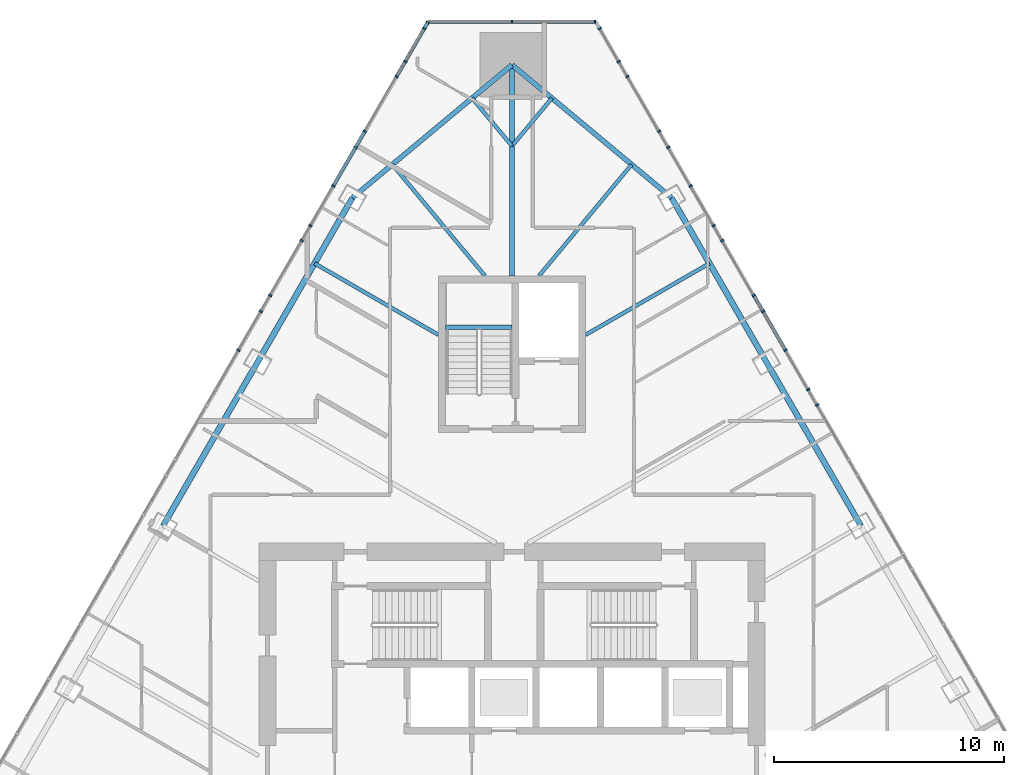
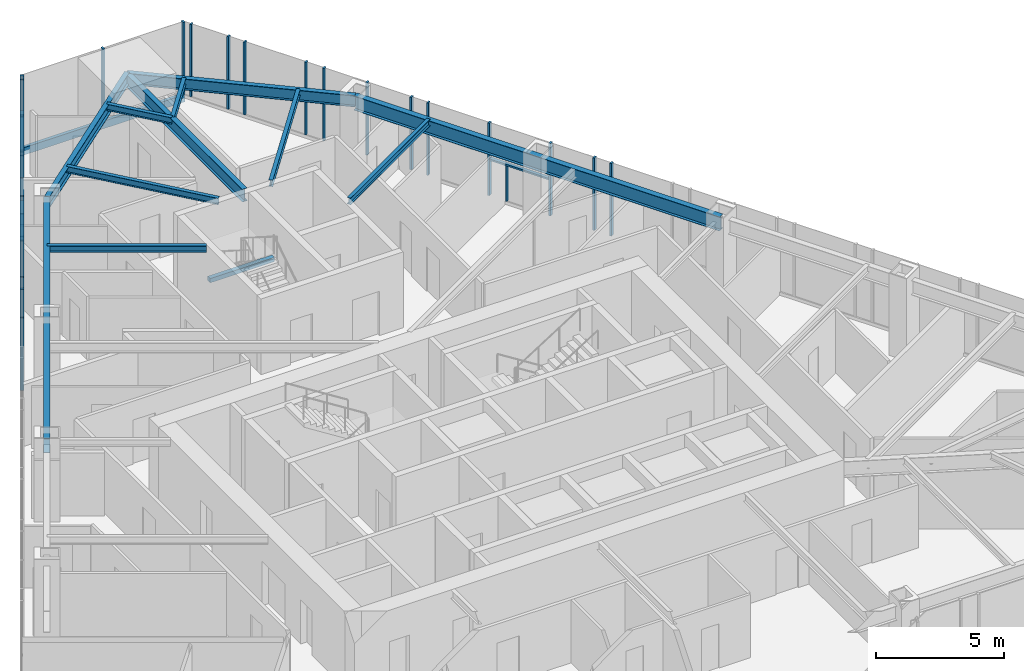
# One storey, part 11 of 24: 33 members, 12 beams, 3 elements without a shape of their own.
"""IFC4 building model written with IfcOpenShell, lengths in metres."""

from ifc_helpers import new_model, si_unit, direction, frame, origin, origin_2d, place, context, subcontext, project, spatial, rectangle, i_section, extrude, material, layer, layer_set, material_profile, profile_set, type_object, element, aggregate, save


model = new_model("IFC4")

# Units and contexts
model_context = context("Model", 3, precision=1e-05, world=origin(), true_north=direction((0.0, 1.0)))
body_context = subcontext(model_context, "Body", "Model", "MODEL_VIEW")
ifc_project = project(units=[si_unit("LENGTHUNIT", "METRE"), si_unit("AREAUNIT", "SQUARE_METRE"), si_unit("VOLUMEUNIT", "CUBIC_METRE"), si_unit("PLANEANGLEUNIT", "RADIAN"), si_unit("MASSUNIT", "GRAM", prefix="KILO")], contexts=[model_context])

# Site, building, storey
site_placement = place(None, origin())
site = spatial("IfcSite", under=ifc_project, at=site_placement, CompositionType="ELEMENT")
building_placement = place(site_placement, origin())
building = spatial("IfcBuilding", under=site, at=building_placement, Name="Firuza Gate Tower and Library", CompositionType="ELEMENT")
storey_placement = place(building_placement, frame((0.0, 0.0, 237.699951171875)))
storey = spatial("IfcBuildingStorey", under=building, at=storey_placement, Name="L56", CompositionType="ELEMENT", Elevation=237.699951171875)

# Curtain wall, members
ifc_material_1 = material(Name="Aluminium 6063-T6", Category="aluminium")
ifc_layer_1 = layer(ifc_material_1, 0.14990234375)
ifc_layer_set_1 = layer_set([ifc_layer_1], Name="Unitised curtain wall, hotel")
curtain_wall_type_1 = type_object("IfcCurtainWallType", Name="Unitised curtain wall, hotel", PredefinedType="NOTDEFINED", material=ifc_layer_set_1)
placement = place(storey_placement, origin())
curtain_wall_1 = element("IfcCurtainWall", 1, at=placement, inside=storey, type_object=curtain_wall_type_1, Name="CW2 L56 E face", PredefinedType="NOTDEFINED")
ifc_material_2 = material(Name="Aluminium 6063-T6", Category="aluminium")
ifc_material_profile_1 = material_profile(ifc_material_2, rectangle(XDim=0.14990234375, YDim=0.080078125, at=origin_2d()))
ifc_profile_set_1 = profile_set([ifc_material_profile_1], Name="Aluminium 6063-T6")
member_type_1 = type_object("IfcMemberType", Name="Curtain wall mullion 80x150", PredefinedType="MULLION", material=ifc_profile_set_1)
member_1_placement = place(storey_placement, frame((88.256591796875, 88.996826171875, 0.150146484375), z_axis=(0.0, 0.0, 1.0), x_axis=(-0.866025403784, -0.5, 0.0)))
member_1 = element("IfcMember", 2, at=member_1_placement, type_object=member_type_1, Name="Mullion", PredefinedType="MULLION", context=body_context, shape_type="SweptSolid", body=[
    extrude(rectangle(XDim=0.14990234375, YDim=0.080078125, at=origin_2d()), origin(), (0.0, 0.0, 1.0), 3.449951171875),
])
member_2_placement = place(storey_placement, frame((86.88330078125, 91.37548828125, 0.150146484375), z_axis=(0.0, 0.0, 1.0), x_axis=(-0.866025403784, -0.5, 0.0)))
member_2 = element("IfcMember", 3, at=member_2_placement, type_object=member_type_1, Name="Mullion", PredefinedType="MULLION", context=body_context, shape_type="SweptSolid", body=[
    extrude(rectangle(XDim=0.14990234375, YDim=0.080078125, at=origin_2d()), origin(), (0.0, 0.0, 1.0), 3.449951171875),
])
member_3_placement = place(storey_placement, frame((85.510009765625, 93.754150390625, 0.150146484375), z_axis=(0.0, 0.0, 1.0), x_axis=(-0.866025403784, -0.5, 0.0)))
member_3 = element("IfcMember", 4, at=member_3_placement, type_object=member_type_1, Name="Mullion", PredefinedType="MULLION", context=body_context, shape_type="SweptSolid", body=[
    extrude(rectangle(XDim=0.14990234375, YDim=0.080078125, at=origin_2d()), origin(), (0.0, 0.0, 1.0), 3.449951171875),
])
member_4_placement = place(storey_placement, frame((84.13671875, 96.1328125, 0.150146484375), z_axis=(0.0, 0.0, 1.0), x_axis=(-0.866025403784, -0.5, 0.0)))
member_4 = element("IfcMember", 5, at=member_4_placement, type_object=member_type_1, Name="Mullion", PredefinedType="MULLION", context=body_context, shape_type="SweptSolid", body=[
    extrude(rectangle(XDim=0.14990234375, YDim=0.080078125, at=origin_2d()), origin(), (0.0, 0.0, 1.0), 3.449951171875),
])
member_5_placement = place(storey_placement, frame((82.76318359375, 98.511474609375, 0.150146484375), z_axis=(0.0, 0.0, 1.0), x_axis=(-0.866025403784, -0.5, 0.0)))
member_5 = element("IfcMember", 6, at=member_5_placement, type_object=member_type_1, Name="Mullion", PredefinedType="MULLION", context=body_context, shape_type="SweptSolid", body=[
    extrude(rectangle(XDim=0.14990234375, YDim=0.080078125, at=origin_2d()), origin(), (0.0, 0.0, 1.0), 3.449951171875),
])
member_6_placement = place(storey_placement, frame((81.389892578125, 100.89013671875, 0.150146484375), z_axis=(0.0, 0.0, 1.0), x_axis=(-0.866025403784, -0.5, 0.0)))
member_6 = element("IfcMember", 7, at=member_6_placement, type_object=member_type_1, Name="Mullion", PredefinedType="MULLION", context=body_context, shape_type="SweptSolid", body=[
    extrude(rectangle(XDim=0.14990234375, YDim=0.080078125, at=origin_2d()), origin(), (0.0, 0.0, 1.0), 3.449951171875),
])
member_7_placement = place(storey_placement, frame((80.0166015625, 103.268798828125, 0.150146484375), z_axis=(0.0, 0.0, 1.0), x_axis=(-0.866025403784, -0.5, 0.0)))
member_7 = element("IfcMember", 8, at=member_7_placement, type_object=member_type_1, Name="Mullion", PredefinedType="MULLION", context=body_context, shape_type="SweptSolid", body=[
    extrude(rectangle(XDim=0.14990234375, YDim=0.080078125, at=origin_2d()), origin(), (0.0, 0.0, 1.0), 3.449951171875),
])
member_8_placement = place(storey_placement, frame((87.871337890625, 89.664306640625, 0.150146484375), z_axis=(0.0, 0.0, 1.0), x_axis=(-0.866025403784, -0.5, 0.0)))
member_8 = element("IfcMember", 9, at=member_8_placement, type_object=member_type_1, Name="Mullion", PredefinedType="MULLION", context=body_context, shape_type="SweptSolid", body=[
    extrude(rectangle(XDim=0.14990234375, YDim=0.080078125, at=origin_2d()), origin(), (0.0, 0.0, 1.0), 3.449951171875),
])
member_9_placement = place(storey_placement, frame((85.90966796875, 93.061767578125, 0.150146484375), z_axis=(0.0, 0.0, 1.0), x_axis=(-0.866025403784, -0.5, 0.0)))
member_9 = element("IfcMember", 10, at=member_9_placement, type_object=member_type_1, Name="Mullion", PredefinedType="MULLION", context=body_context, shape_type="SweptSolid", body=[
    extrude(rectangle(XDim=0.14990234375, YDim=0.080078125, at=origin_2d()), origin(), (0.0, 0.0, 1.0), 1.684814453125),
])
member_10_placement = place(storey_placement, frame((83.758544921875, 96.787841796875, 0.150146484375), z_axis=(0.0, 0.0, 1.0), x_axis=(-0.866025403784, -0.5, 0.0)))
member_10 = element("IfcMember", 11, at=member_10_placement, type_object=member_type_1, Name="Mullion", PredefinedType="MULLION", context=body_context, shape_type="SweptSolid", body=[
    extrude(rectangle(XDim=0.14990234375, YDim=0.080078125, at=origin_2d()), origin(), (0.0, 0.0, 1.0), 3.449951171875),
])
member_11_placement = place(storey_placement, frame((81.796875, 100.185302734375, 0.150146484375), z_axis=(0.0, 0.0, 1.0), x_axis=(-0.866025403784, -0.5, 0.0)))
member_11 = element("IfcMember", 12, at=member_11_placement, type_object=member_type_1, Name="Mullion", PredefinedType="MULLION", context=body_context, shape_type="SweptSolid", body=[
    extrude(rectangle(XDim=0.14990234375, YDim=0.080078125, at=origin_2d()), origin(), (0.0, 0.0, 1.0), 3.449951171875),
])
member_12_placement = place(storey_placement, frame((79.645751953125, 103.911376953125, 0.150146484375), z_axis=(0.0, 0.0, 1.0), x_axis=(-0.866025403784, -0.5, 0.0)))
member_12 = element("IfcMember", 13, at=member_12_placement, type_object=member_type_1, Name="Mullion", PredefinedType="MULLION", context=body_context, shape_type="SweptSolid", body=[
    extrude(rectangle(XDim=0.14990234375, YDim=0.080078125, at=origin_2d()), origin(), (0.0, 0.0, 1.0), 3.449951171875),
])
member_13_placement = place(storey_placement, frame((78.808837890625, 105.36083984375, 0.150146484375), z_axis=(0.0, 0.0, 1.0), x_axis=(-0.866025403784, -0.5, 0.0)))
member_13 = element("IfcMember", 14, at=member_13_placement, type_object=member_type_1, Name="Mullion", PredefinedType="MULLION", context=body_context, shape_type="SweptSolid", body=[
    extrude(rectangle(XDim=0.14990234375, YDim=0.080078125, at=origin_2d()), origin(), (0.0, 0.0, 1.0), 3.449951171875),
])

ifc_material_3 = material(Name="Aluminium 6063-T6", Category="aluminium")
ifc_layer_2 = layer(ifc_material_3, 0.14990234375)
ifc_layer_set_2 = layer_set([ifc_layer_2], Name="Corner curtain wall, chamfers")
curtain_wall_type_2 = type_object("IfcCurtainWallType", Name="Corner curtain wall, chamfers", PredefinedType="NOTDEFINED", material=ifc_layer_set_2)
curtain_wall_2 = element("IfcCurtainWall", 15, at=placement, inside=storey, type_object=curtain_wall_type_2, Name="CW4 L56 N corner", PredefinedType="NOTDEFINED")
member_14_placement = place(storey_placement, frame((78.603271484375, 105.647705078125, 0.150146484375), z_axis=(0.0, 0.0, 1.0), x_axis=(0.0, -1.0, 0.0)))
member_14 = element("IfcMember", 16, at=member_14_placement, type_object=member_type_1, Name="Mullion", PredefinedType="MULLION", context=body_context, shape_type="SweptSolid", body=[
    extrude(rectangle(XDim=0.14990234375, YDim=0.080078125, at=origin_2d()), origin(), (0.0, 0.0, 1.0), 3.449951171875),
])
member_15_placement = place(storey_placement, frame((75.0, 105.647705078125, 0.150146484375), z_axis=(0.0, 0.0, 1.0), x_axis=(0.0, -1.0, 0.0)))
member_15 = element("IfcMember", 17, at=member_15_placement, type_object=member_type_1, Name="Mullion", PredefinedType="MULLION", context=body_context, shape_type="SweptSolid", body=[
    extrude(rectangle(XDim=0.14990234375, YDim=0.080078125, at=origin_2d()), origin(), (0.0, 0.0, 1.0), 3.449951171875),
])

curtain_wall_3 = element("IfcCurtainWall", 18, at=placement, inside=storey, type_object=curtain_wall_type_1, Name="CW2 L56 W face", PredefinedType="NOTDEFINED")
member_16_placement = place(storey_placement, frame((71.336669921875, 105.613037109375, 0.150146484375), z_axis=(0.0, 0.0, 1.0), x_axis=(0.866025403784, -0.5, 0.0)))
member_16 = element("IfcMember", 19, at=member_16_placement, type_object=member_type_1, Name="Mullion", PredefinedType="MULLION", context=body_context, shape_type="SweptSolid", body=[
    extrude(rectangle(XDim=0.14990234375, YDim=0.080078125, at=origin_2d()), origin(), (0.0, 0.0, 1.0), 3.449951171875),
])
member_17_placement = place(storey_placement, frame((69.9833984375, 103.268798828125, 0.150146484375), z_axis=(0.0, 0.0, 1.0), x_axis=(0.866025403784, -0.5, 0.0)))
member_17 = element("IfcMember", 20, at=member_17_placement, type_object=member_type_1, Name="Mullion", PredefinedType="MULLION", context=body_context, shape_type="SweptSolid", body=[
    extrude(rectangle(XDim=0.14990234375, YDim=0.080078125, at=origin_2d()), origin(), (0.0, 0.0, 1.0), 3.449951171875),
])
member_18_placement = place(storey_placement, frame((68.610107421875, 100.89013671875, 0.150146484375), z_axis=(0.0, 0.0, 1.0), x_axis=(0.866025403784, -0.5, 0.0)))
member_18 = element("IfcMember", 21, at=member_18_placement, type_object=member_type_1, Name="Mullion", PredefinedType="MULLION", context=body_context, shape_type="SweptSolid", body=[
    extrude(rectangle(XDim=0.14990234375, YDim=0.080078125, at=origin_2d()), origin(), (0.0, 0.0, 1.0), 3.449951171875),
])
member_19_placement = place(storey_placement, frame((67.23681640625, 98.511474609375, 0.150146484375), z_axis=(0.0, 0.0, 1.0), x_axis=(0.866025403784, -0.5, 0.0)))
member_19 = element("IfcMember", 22, at=member_19_placement, type_object=member_type_1, Name="Mullion", PredefinedType="MULLION", context=body_context, shape_type="SweptSolid", body=[
    extrude(rectangle(XDim=0.14990234375, YDim=0.080078125, at=origin_2d()), origin(), (0.0, 0.0, 1.0), 3.449951171875),
])
member_20_placement = place(storey_placement, frame((65.86328125, 96.1328125, 0.150146484375), z_axis=(0.0, 0.0, 1.0), x_axis=(0.866025403784, -0.5, 0.0)))
member_20 = element("IfcMember", 23, at=member_20_placement, type_object=member_type_1, Name="Mullion", PredefinedType="MULLION", context=body_context, shape_type="SweptSolid", body=[
    extrude(rectangle(XDim=0.14990234375, YDim=0.080078125, at=origin_2d()), origin(), (0.0, 0.0, 1.0), 3.449951171875),
])
member_21_placement = place(storey_placement, frame((64.489990234375, 93.754150390625, 0.150146484375), z_axis=(0.0, 0.0, 1.0), x_axis=(0.866025403784, -0.5, 0.0)))
member_21 = element("IfcMember", 24, at=member_21_placement, type_object=member_type_1, Name="Mullion", PredefinedType="MULLION", context=body_context, shape_type="SweptSolid", body=[
    extrude(rectangle(XDim=0.14990234375, YDim=0.080078125, at=origin_2d()), origin(), (0.0, 0.0, 1.0), 3.449951171875),
])
member_22_placement = place(storey_placement, frame((63.11669921875, 91.37548828125, 0.150146484375), z_axis=(0.0, 0.0, 1.0), x_axis=(0.866025403784, -0.5, 0.0)))
member_22 = element("IfcMember", 25, at=member_22_placement, type_object=member_type_1, Name="Mullion", PredefinedType="MULLION", context=body_context, shape_type="SweptSolid", body=[
    extrude(rectangle(XDim=0.14990234375, YDim=0.080078125, at=origin_2d()), origin(), (0.0, 0.0, 1.0), 3.449951171875),
])
member_23_placement = place(storey_placement, frame((71.191162109375, 105.36083984375, 0.150146484375), z_axis=(0.0, 0.0, 1.0), x_axis=(0.866025403784, -0.5, 0.0)))
member_23 = element("IfcMember", 26, at=member_23_placement, type_object=member_type_1, Name="Mullion", PredefinedType="MULLION", context=body_context, shape_type="SweptSolid", body=[
    extrude(rectangle(XDim=0.14990234375, YDim=0.080078125, at=origin_2d()), origin(), (0.0, 0.0, 1.0), 1.684814453125),
])
member_24_placement = place(storey_placement, frame((70.354248046875, 103.911376953125, 0.150146484375), z_axis=(0.0, 0.0, 1.0), x_axis=(0.866025403784, -0.5, 0.0)))
member_24 = element("IfcMember", 27, at=member_24_placement, type_object=member_type_1, Name="Mullion", PredefinedType="MULLION", context=body_context, shape_type="SweptSolid", body=[
    extrude(rectangle(XDim=0.14990234375, YDim=0.080078125, at=origin_2d()), origin(), (0.0, 0.0, 1.0), 1.684814453125),
])
member_25_placement = place(storey_placement, frame((71.191162109375, 105.36083984375, 1.9150390625), z_axis=(0.0, 0.0, 1.0), x_axis=(0.866025403784, -0.5, 0.0)))
member_25 = element("IfcMember", 28, at=member_25_placement, type_object=member_type_1, Name="Mullion", PredefinedType="MULLION", context=body_context, shape_type="SweptSolid", body=[
    extrude(rectangle(XDim=0.14990234375, YDim=0.080078125, at=origin_2d()), origin(), (0.0, 0.0, 1.0), 1.68505859375),
])
member_26_placement = place(storey_placement, frame((68.203125, 100.185302734375, 0.150146484375), z_axis=(0.0, 0.0, 1.0), x_axis=(0.866025403784, -0.5, 0.0)))
member_26 = element("IfcMember", 29, at=member_26_placement, type_object=member_type_1, Name="Mullion", PredefinedType="MULLION", context=body_context, shape_type="SweptSolid", body=[
    extrude(rectangle(XDim=0.14990234375, YDim=0.080078125, at=origin_2d()), origin(), (0.0, 0.0, 1.0), 1.260009765625),
])
member_27_placement = place(storey_placement, frame((66.241455078125, 96.787841796875, 0.150146484375), z_axis=(0.0, 0.0, 1.0), x_axis=(0.866025403784, -0.5, 0.0)))
member_27 = element("IfcMember", 30, at=member_27_placement, type_object=member_type_1, Name="Mullion", PredefinedType="MULLION", context=body_context, shape_type="SweptSolid", body=[
    extrude(rectangle(XDim=0.14990234375, YDim=0.080078125, at=origin_2d()), origin(), (0.0, 0.0, 1.0), 3.449951171875),
])
member_28_placement = place(storey_placement, frame((64.09033203125, 93.061767578125, 0.150146484375), z_axis=(0.0, 0.0, 1.0), x_axis=(0.866025403784, -0.5, 0.0)))
member_28 = element("IfcMember", 31, at=member_28_placement, type_object=member_type_1, Name="Mullion", PredefinedType="MULLION", context=body_context, shape_type="SweptSolid", body=[
    extrude(rectangle(XDim=0.14990234375, YDim=0.080078125, at=origin_2d()), origin(), (0.0, 0.0, 1.0), 3.449951171875),
])

# Member
ifc_material_4 = material(Name="Aluminium 6063-T6", Category="aluminium")
ifc_material_profile_2 = material_profile(ifc_material_4, rectangle(XDim=0.14990234375, YDim=0.35009765625, at=origin_2d()))
ifc_profile_set_2 = profile_set([ifc_material_profile_2], Name="Aluminium 6063-T6")
member_type_2 = type_object("IfcMemberType", Name="Curtain wall transom 350x150", PredefinedType="USERDEFINED", material=ifc_profile_set_2)
member_29_placement = place(storey_placement, frame((78.643310546875, 105.647705078125, -0.02490234375), z_axis=(-1.0, 0.0, 0.0), x_axis=(0.0, -1.0, 0.0)))
member_29 = element("IfcMember", 32, at=member_29_placement, type_object=member_type_2, Name="Transom", ObjectType="TRANSOM", PredefinedType="USERDEFINED", context=body_context, shape_type="SweptSolid", body=[
    extrude(rectangle(XDim=0.14990234375, YDim=0.35009765625, at=origin_2d()), origin(), (0.0, 0.0, 1.0), 7.28662109375),
])

aggregate(curtain_wall_2, [member_14, member_15, member_29])

ifc_material_5 = material(Name="Aluminium 6063-T6", Category="aluminium")
ifc_material_profile_3 = material_profile(ifc_material_5, rectangle(XDim=0.14990234375, YDim=0.080078125, at=origin_2d()))
ifc_profile_set_3 = profile_set([ifc_material_profile_3], Name="Aluminium 6063-T6")
member_type_3 = type_object("IfcMemberType", Name="Curtain wall transom 80x150", PredefinedType="USERDEFINED", material=ifc_profile_set_3)
member_30_placement = place(storey_placement, frame((86.86328125, 91.41015625, 1.875), z_axis=(-0.499989274391, 0.866031596129, 0.0), x_axis=(-0.866031596129, -0.499989274391, 0.0)))
member_30 = element("IfcMember", 33, at=member_30_placement, type_object=member_type_3, Name="Transom", ObjectType="TRANSOM", PredefinedType="USERDEFINED", context=body_context, shape_type="SweptSolid", body=[
    extrude(rectangle(XDim=0.14990234375, YDim=0.080078125, at=origin_2d()), origin(), (0.0, 0.0, 1.0), 2.66650390625),
])

aggregate(curtain_wall_1, [member_1, member_2, member_3, member_4, member_5, member_6, member_7, member_8, member_9, member_30, member_10, member_11, member_12, member_13])

member_31_placement = place(storey_placement, frame((71.336669921875, 105.613037109375, 1.875), z_axis=(-0.499949632511, -0.866054481515, 0.0), x_axis=(0.866054481515, -0.499949632511, 0.0)))
member_31 = element("IfcMember", 34, at=member_31_placement, type_object=member_type_3, Name="Transom", ObjectType="TRANSOM", PredefinedType="USERDEFINED", context=body_context, shape_type="SweptSolid", body=[
    extrude(rectangle(XDim=0.14990234375, YDim=0.080078125, at=origin_2d()), origin(), (0.0, 0.0, 1.0), 2.666748046875),
])

member_32_placement = place(storey_placement, frame((68.590087890625, 100.85546875, 1.449951171875), z_axis=(-0.500057937927, -0.865991950723, 0.0), x_axis=(0.865991950723, -0.500057937927, 0.0)))
member_32 = element("IfcMember", 35, at=member_32_placement, type_object=member_type_3, Name="Transom", ObjectType="TRANSOM", PredefinedType="USERDEFINED", context=body_context, shape_type="SweptSolid", body=[
    extrude(rectangle(XDim=0.14990234375, YDim=0.080078125, at=origin_2d()), origin(), (0.0, 0.0, 1.0), 2.666748046875),
])

member_33_placement = place(storey_placement, frame((68.590087890625, 100.85546875, 2.525146484375), z_axis=(-0.500057937927, -0.865991950723, 0.0), x_axis=(0.865991950723, -0.500057937927, 0.0)))
member_33 = element("IfcMember", 36, at=member_33_placement, type_object=member_type_3, Name="Transom", ObjectType="TRANSOM", PredefinedType="USERDEFINED", context=body_context, shape_type="SweptSolid", body=[
    extrude(rectangle(XDim=0.14990234375, YDim=0.080078125, at=origin_2d()), origin(), (0.0, 0.0, 1.0), 2.666748046875),
])

aggregate(curtain_wall_3, [member_16, member_17, member_18, member_19, member_20, member_21, member_22, member_23, member_24, member_25, member_31, member_26, member_32, member_33, member_27, member_28])

# Beams
ifc_material_6 = material(Name="Concrete C35/45", Category="concrete")
ifc_material_profile_4 = material_profile(ifc_material_6, rectangle(XDim=0.199951171875, YDim=0.199951171875, at=origin_2d()))
ifc_profile_set_4 = profile_set([ifc_material_profile_4], Name="Concrete C35/45")
beam_type_1 = type_object("IfcBeamType", Name="Stair landing bearer 200x200", PredefinedType="BEAM", material=ifc_profile_set_4)
beam_1_placement = place(storey_placement, frame((75.0, 92.3701171875, 1.650146484375), z_axis=(-1.0, 0.0, 0.0), x_axis=(0.0, -1.0, 0.0)))
element("IfcBeam", 37, at=beam_1_placement, inside=storey, type_object=beam_type_1, Name="Landing bearer L56 stair 3", PredefinedType="BEAM", context=body_context, shape_type="SweptSolid", body=[
    extrude(rectangle(XDim=0.199951171875, YDim=0.199951171875, at=origin_2d()), origin(), (0.0, 0.0, 1.0), 2.89990234375),
])
ifc_material_7 = material(Name="Steel S355", Category="steel")
ifc_material_profile_5 = material_profile(ifc_material_7, i_section(OverallWidth=0.1650390625, OverallDepth=0.31005859375, WebThickness=0.005859375, FlangeThickness=0.009765625, at=origin_2d()))
ifc_profile_set_5 = profile_set([ifc_material_profile_5], Name="Steel S355")
beam_type_2 = type_object("IfcBeamType", Name="W310x39 Floor beam", PredefinedType="JOIST", material=ifc_profile_set_5)
beam_2_placement = place(storey_placement, frame((83.578369140625, 95.149658203125, 3.445068359375), z_axis=(-0.866025853686, -0.499999220746, 0.0), x_axis=(0.499999220746, -0.866025853686, 0.0)))
element("IfcBeam", 38, at=beam_2_placement, inside=storey, type_object=beam_type_2, Name="Floor beam L56 s54", PredefinedType="JOIST", context=body_context, shape_type="SweptSolid", body=[
    extrude(i_section(OverallWidth=0.1650390625, OverallDepth=0.31005859375, WebThickness=0.005859375, FlangeThickness=0.009765625, at=origin_2d()), origin(), (0.0, 0.0, 1.0), 6.21044921875),
])
beam_3_placement = place(storey_placement, frame((80.199951171875, 99.4423828125, 3.445068359375), z_axis=(-0.639902348182, -0.768456234793, 0.0), x_axis=(0.768456234793, -0.639902348182, 0.0)))
element("IfcBeam", 39, at=beam_3_placement, inside=storey, type_object=beam_type_2, Name="Floor beam L56 s60", PredefinedType="JOIST", context=body_context, shape_type="SweptSolid", body=[
    extrude(i_section(OverallWidth=0.1650390625, OverallDepth=0.31005859375, WebThickness=0.005859375, FlangeThickness=0.009765625, at=origin_2d()), origin(), (0.0, 0.0, 1.0), 6.30126953125),
])
for number, where, z_axis, x_axis, name in (
    (40, (76.7333984375, 102.3291015625, 3.445068359375), (-0.639918405833, -0.768442863117, 0.0), (0.768442863117, -0.639918405833, 0.0), "Floor beam L56 s61"),
    (41, (73.2666015625, 102.3291015625, 3.445068359375), (0.639918405833, -0.768442863117, 0.0), (0.768442863117, 0.639918405833, 0.0), "Floor beam L56 s70"),
):
    element("IfcBeam", number, at=place(storey_placement, frame(where, z_axis=z_axis, x_axis=x_axis)), inside=storey, type_object=beam_type_2, Name=name, PredefinedType="JOIST", context=body_context, shape_type="SweptSolid", body=[
        extrude(i_section(OverallWidth=0.1650390625, OverallDepth=0.31005859375, WebThickness=0.005859375, FlangeThickness=0.009765625, at=origin_2d()), origin(), (0.0, 0.0, 1.0), 2.708740234375),
    ])
beam_4_placement = place(storey_placement, frame((69.800048828125, 99.4423828125, 3.445068359375), z_axis=(0.639902348182, -0.768456234793, 0.0), x_axis=(0.768456234793, 0.639902348182, 0.0)))
element("IfcBeam", 42, at=beam_4_placement, inside=storey, type_object=beam_type_2, Name="Floor beam L56 s71", PredefinedType="JOIST", context=body_context, shape_type="SweptSolid", body=[
    extrude(i_section(OverallWidth=0.1650390625, OverallDepth=0.31005859375, WebThickness=0.005859375, FlangeThickness=0.009765625, at=origin_2d()), origin(), (0.0, 0.0, 1.0), 6.30126953125),
])
beam_5_placement = place(storey_placement, frame((66.421630859375, 95.149658203125, 3.445068359375), z_axis=(0.866025853686, -0.499999220746, 0.0), x_axis=(0.499999220746, 0.866025853686, 0.0)))
element("IfcBeam", 43, at=beam_5_placement, inside=storey, type_object=beam_type_2, Name="Floor beam L56 s80", PredefinedType="JOIST", context=body_context, shape_type="SweptSolid", body=[
    extrude(i_section(OverallWidth=0.1650390625, OverallDepth=0.31005859375, WebThickness=0.005859375, FlangeThickness=0.009765625, at=origin_2d()), origin(), (0.0, 0.0, 1.0), 6.21044921875),
])
ifc_material_8 = material(Name="Steel S355", Category="steel")
ifc_material_profile_6 = material_profile(ifc_material_8, i_section(OverallWidth=0.212890625, OverallDepth=0.5390625, WebThickness=0.01171875, FlangeThickness=0.018798828125, at=origin_2d()))
ifc_profile_set_6 = profile_set([ifc_material_profile_6], Name="Steel S355")
beam_type_3 = type_object("IfcBeamType", Name="W530x109 Edge beam", PredefinedType="SPANDREL", material=ifc_profile_set_6)
for number, where, z_axis, x_axis, name in (
    (44, (81.933349609375, 97.9990234375, 3.33056640625), (-0.768445244638, 0.639915545985, 0.0), (-0.639915545985, -0.768445244638, 0.0), "Edge beam L56 e60"),
    (45, (75.0, 103.772705078125, 3.33056640625), (-0.768445244638, -0.639915545985, 0.0), (0.639915545985, -0.768445244638, 0.0), "Edge beam L56 e70"),
):
    element("IfcBeam", number, at=place(storey_placement, frame(where, z_axis=z_axis, x_axis=x_axis)), inside=storey, type_object=beam_type_3, Name=name, PredefinedType="SPANDREL", context=body_context, shape_type="SweptSolid", body=[
        extrude(i_section(OverallWidth=0.212890625, OverallDepth=0.5390625, WebThickness=0.01171875, FlangeThickness=0.018798828125, at=origin_2d()), origin(), (0.0, 0.0, 1.0), 9.0224609375),
    ])
ifc_material_9 = material(Name="Steel S355", Category="steel")
ifc_material_profile_7 = material_profile(ifc_material_9, i_section(OverallWidth=0.22802734375, OverallDepth=0.60302734375, WebThickness=0.010498046875, FlangeThickness=0.014892578125, at=origin_2d()))
ifc_profile_set_7 = profile_set([ifc_material_profile_7], Name="Steel S355")
beam_type_4 = type_object("IfcBeamType", Name="W610x101 Girder", PredefinedType="BEAM", material=ifc_profile_set_7)
beam_6_placement = place(storey_placement, frame((75.0, 103.772705078125, 3.298583984375), z_axis=(0.0, -1.0, 0.0), x_axis=(1.0, 0.0, 0.0)))
element("IfcBeam", 46, at=beam_6_placement, inside=storey, type_object=beam_type_4, Name="Girder L56 gN", PredefinedType="BEAM", context=body_context, shape_type="SweptSolid", body=[
    extrude(i_section(OverallWidth=0.22802734375, OverallDepth=0.60302734375, WebThickness=0.010498046875, FlangeThickness=0.014892578125, at=origin_2d()), origin(), (0.0, 0.0, 1.0), 9.172607421875),
])
ifc_material_10 = material(Name="Steel S355", Category="steel")
ifc_material_profile_8 = material_profile(ifc_material_10, i_section(OverallWidth=0.2529296875, OverallDepth=0.677978515625, WebThickness=0.01171875, FlangeThickness=0.016357421875, at=origin_2d()))
ifc_profile_set_8 = profile_set([ifc_material_profile_8], Name="Steel S355")
beam_type_5 = type_object("IfcBeamType", Name="W690x125 Edge beam", PredefinedType="SPANDREL", material=ifc_profile_set_8)
for number, where, z_axis, x_axis, name in (
    (47, (90.158935546875, 83.751953125, 3.260986328125), (-0.500001643842, 0.866024454709, 0.0), (-0.866024454709, -0.500001643842, 0.0), "Edge beam L56 e52"),
    (48, (68.066650390625, 97.9990234375, 3.260986328125), (-0.500001643842, -0.866024454709, 0.0), (0.866024454709, -0.500001643842, 0.0), "Edge beam L56 e80"),
):
    element("IfcBeam", number, at=place(storey_placement, frame(where, z_axis=z_axis, x_axis=x_axis)), inside=storey, type_object=beam_type_5, Name=name, PredefinedType="SPANDREL", context=body_context, shape_type="SweptSolid", body=[
        extrude(i_section(OverallWidth=0.2529296875, OverallDepth=0.677978515625, WebThickness=0.01171875, FlangeThickness=0.016357421875, at=origin_2d()), origin(), (0.0, 0.0, 1.0), 16.451171875),
    ])

save(model, "model.ifc")
